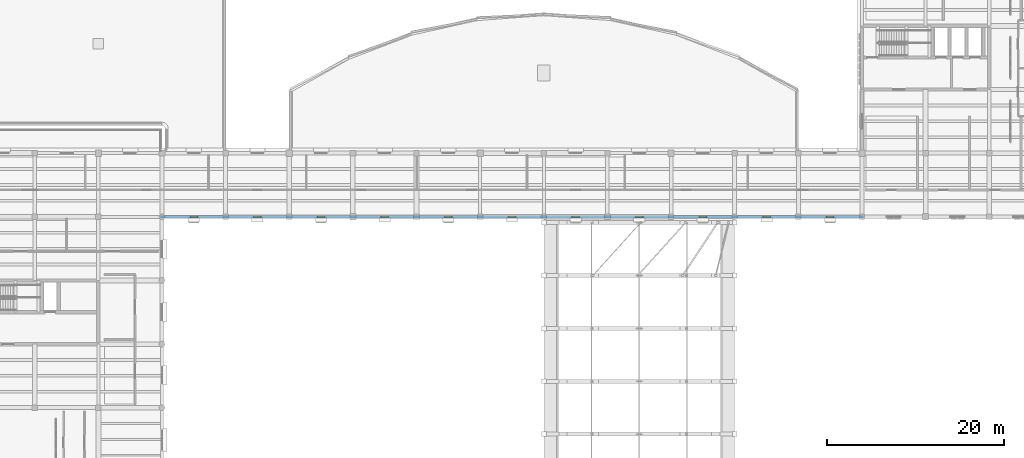
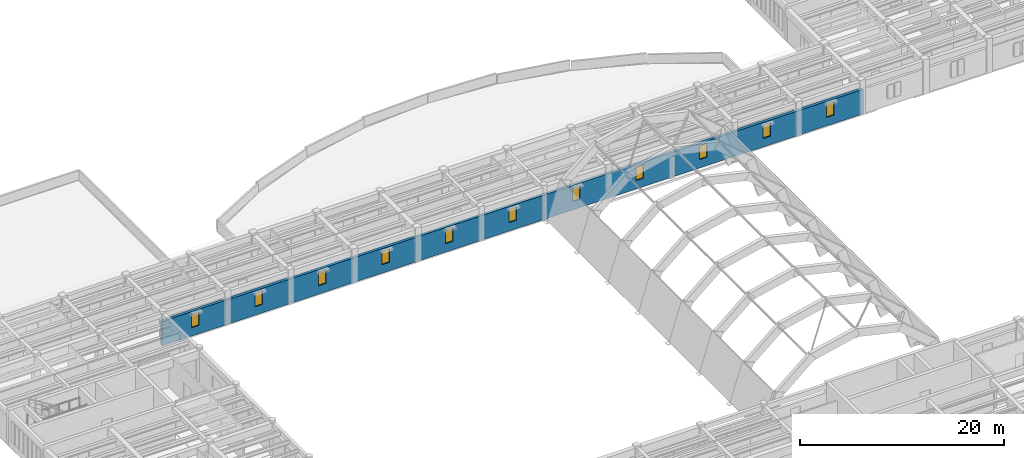
# One storey, part 46 of 66: 11 windows, 1 wall, 11 openings.
"""IFC4 building model written with IfcOpenShell, lengths in metres."""

from ifc_helpers import new_model, si_unit, direction, frame, frame_2d, origin, place, context, subcontext, project, spatial, rectangle, extrude, material, layer, layer_set, type_object, element, fill, save


model = new_model("IFC4")

# Units and contexts
model_context = context("Model", 3, precision=1e-05, world=origin(), true_north=direction((0.0, 1.0)))
body_context = subcontext(model_context, "Body", "Model", "MODEL_VIEW")
ifc_project = project(units=[si_unit("LENGTHUNIT", "METRE"), si_unit("AREAUNIT", "SQUARE_METRE"), si_unit("VOLUMEUNIT", "CUBIC_METRE"), si_unit("PLANEANGLEUNIT", "RADIAN"), si_unit("MASSUNIT", "GRAM", prefix="KILO")], contexts=[model_context])

# Site, building, storey
site_placement = place(None, origin())
site = spatial("IfcSite", under=ifc_project, at=site_placement, CompositionType="ELEMENT")
building_placement = place(site_placement, origin())
building = spatial("IfcBuilding", under=site, at=building_placement, Name="Mithqara Police Headquarters", CompositionType="ELEMENT")
storey_placement = place(building_placement, frame((0.0, 0.0, 9.60009765625)))
storey = spatial("IfcBuildingStorey", under=building, at=storey_placement, Name="L02", CompositionType="ELEMENT", Elevation=9.60009765625)

# Wall, openings, windows
ifc_material_1 = material(Name="Limestone ashlar masonry, 45 MPa", Category="masonry")
ifc_layer = layer(ifc_material_1, 0.320068359375, Name="Limestone ashlar masonry, 45 MPa")
ifc_layer_set = layer_set([ifc_layer], Name="Limestone ashlar masonry, 45 MPa")
wall_type = type_object("IfcWallType", Name="EXT WALL LIMESTONE320", PredefinedType="SOLIDWALL", material=ifc_layer_set)
wall_placement = place(storey_placement, frame((29.239990234375, 78.60009765625, 0.0), z_axis=(0.0, 0.0, 1.0), x_axis=(1.0, 0.0, 0.0)))
wall = element("IfcWall", 1, at=wall_placement, inside=storey, type_object=wall_type, Name="L02 Exterior Wall 3.1", PredefinedType="SOLIDWALL", context=body_context, shape_type="SweptSolid", body=[
    extrude(rectangle(XDim=79.52001953125, YDim=0.320068359375, at=frame_2d((39.760009765625, 0.0))), origin(), (0.0, 0.0, 1.0), 2.93994140625),
])
opening_1_placement = place(wall_placement, frame((3.3349609375, 0.0, 1.0)))
opening_1 = element("IfcOpeningElement", 2, at=opening_1_placement, cuts=wall, Name="Opening W-02", PredefinedType="OPENING", context=body_context, shape_type="SweptSolid", body=[
    extrude(rectangle(XDim=0.85009765625, YDim=1.64990234375, at=frame_2d((0.425048828125, 0.824951171875))), frame((0.0, 0.169921875, 0.0), z_axis=(0.0, -1.0, 0.0), x_axis=(1.0, 0.0, 0.0)), (0.0, 0.0, 1.0), 0.340087890625),
])
opening_2_placement = place(wall_placement, frame((10.534912109375, 0.0, 1.0)))
opening_2 = element("IfcOpeningElement", 3, at=opening_2_placement, cuts=wall, Name="Opening W-02", PredefinedType="OPENING", context=body_context, shape_type="SweptSolid", body=[
    extrude(rectangle(XDim=0.85009765625, YDim=1.64990234375, at=frame_2d((0.425048828125, 0.824951171875))), frame((0.0, 0.169921875, 0.0), z_axis=(0.0, -1.0, 0.0), x_axis=(1.0, 0.0, 0.0)), (0.0, 0.0, 1.0), 0.340087890625),
])
opening_3_placement = place(wall_placement, frame((17.735107421875, 0.0, 1.0)))
opening_3 = element("IfcOpeningElement", 4, at=opening_3_placement, cuts=wall, Name="Opening W-02", PredefinedType="OPENING", context=body_context, shape_type="SweptSolid", body=[
    extrude(rectangle(XDim=0.85009765625, YDim=1.64990234375, at=frame_2d((0.425048828125, 0.824951171875))), frame((0.0, 0.169921875, 0.0), z_axis=(0.0, -1.0, 0.0), x_axis=(1.0, 0.0, 0.0)), (0.0, 0.0, 1.0), 0.340087890625),
])
opening_4_placement = place(wall_placement, frame((24.93505859375, 0.0, 1.0)))
opening_4 = element("IfcOpeningElement", 5, at=opening_4_placement, cuts=wall, Name="Opening W-02", PredefinedType="OPENING", context=body_context, shape_type="SweptSolid", body=[
    extrude(rectangle(XDim=0.85009765625, YDim=1.64990234375, at=frame_2d((0.425048828125, 0.824951171875))), frame((0.0, 0.169921875, 0.0), z_axis=(0.0, -1.0, 0.0), x_axis=(1.0, 0.0, 0.0)), (0.0, 0.0, 1.0), 0.340087890625),
])
opening_5_placement = place(wall_placement, frame((32.135009765625, 0.0, 1.0)))
opening_5 = element("IfcOpeningElement", 6, at=opening_5_placement, cuts=wall, Name="Opening W-02", PredefinedType="OPENING", context=body_context, shape_type="SweptSolid", body=[
    extrude(rectangle(XDim=0.85009765625, YDim=1.64990234375, at=frame_2d((0.425048828125, 0.824951171875))), frame((0.0, 0.169921875, 0.0), z_axis=(0.0, -1.0, 0.0), x_axis=(1.0, 0.0, 0.0)), (0.0, 0.0, 1.0), 0.340087890625),
])
opening_6_placement = place(wall_placement, frame((39.3349609375, 0.0, 1.0)))
opening_6 = element("IfcOpeningElement", 7, at=opening_6_placement, cuts=wall, Name="Opening W-02", PredefinedType="OPENING", context=body_context, shape_type="SweptSolid", body=[
    extrude(rectangle(XDim=0.85009765625, YDim=1.64990234375, at=frame_2d((0.425048828125, 0.824951171875))), frame((0.0, 0.169921875, 0.0), z_axis=(0.0, -1.0, 0.0), x_axis=(1.0, 0.0, 0.0)), (0.0, 0.0, 1.0), 0.340087890625),
])
opening_7_placement = place(wall_placement, frame((46.534912109375, 0.0, 1.0)))
opening_7 = element("IfcOpeningElement", 8, at=opening_7_placement, cuts=wall, Name="Opening W-02", PredefinedType="OPENING", context=body_context, shape_type="SweptSolid", body=[
    extrude(rectangle(XDim=0.85009765625, YDim=1.64990234375, at=frame_2d((0.425048828125, 0.824951171875))), frame((0.0, 0.169921875, 0.0), z_axis=(0.0, -1.0, 0.0), x_axis=(1.0, 0.0, 0.0)), (0.0, 0.0, 1.0), 0.340087890625),
])
opening_8_placement = place(wall_placement, frame((53.735107421875, 0.0, 1.0)))
opening_8 = element("IfcOpeningElement", 9, at=opening_8_placement, cuts=wall, Name="Opening W-02", PredefinedType="OPENING", context=body_context, shape_type="SweptSolid", body=[
    extrude(rectangle(XDim=0.85009765625, YDim=1.64990234375, at=frame_2d((0.425048828125, 0.824951171875))), frame((0.0, 0.169921875, 0.0), z_axis=(0.0, -1.0, 0.0), x_axis=(1.0, 0.0, 0.0)), (0.0, 0.0, 1.0), 0.340087890625),
])
opening_9_placement = place(wall_placement, frame((60.93505859375, 0.0, 1.0)))
opening_9 = element("IfcOpeningElement", 10, at=opening_9_placement, cuts=wall, Name="Opening W-02", PredefinedType="OPENING", context=body_context, shape_type="SweptSolid", body=[
    extrude(rectangle(XDim=0.85009765625, YDim=1.64990234375, at=frame_2d((0.425048828125, 0.824951171875))), frame((0.0, 0.169921875, 0.0), z_axis=(0.0, -1.0, 0.0), x_axis=(1.0, 0.0, 0.0)), (0.0, 0.0, 1.0), 0.340087890625),
])
opening_10_placement = place(wall_placement, frame((68.135009765625, 0.0, 1.0)))
opening_10 = element("IfcOpeningElement", 11, at=opening_10_placement, cuts=wall, Name="Opening W-02", PredefinedType="OPENING", context=body_context, shape_type="SweptSolid", body=[
    extrude(rectangle(XDim=0.85009765625, YDim=1.64990234375, at=frame_2d((0.425048828125, 0.824951171875))), frame((0.0, 0.169921875, 0.0), z_axis=(0.0, -1.0, 0.0), x_axis=(1.0, 0.0, 0.0)), (0.0, 0.0, 1.0), 0.340087890625),
])
opening_11_placement = place(wall_placement, frame((75.3349609375, 0.0, 1.0)))
opening_11 = element("IfcOpeningElement", 12, at=opening_11_placement, cuts=wall, Name="Opening W-02", PredefinedType="OPENING", context=body_context, shape_type="SweptSolid", body=[
    extrude(rectangle(XDim=0.85009765625, YDim=1.64990234375, at=frame_2d((0.425048828125, 0.824951171875))), frame((0.0, 0.169921875, 0.0), z_axis=(0.0, -1.0, 0.0), x_axis=(1.0, 0.0, 0.0)), (0.0, 0.0, 1.0), 0.340087890625),
])
ifc_material_2 = material(Name="Spectrally selective double low-e glass", Category="glass")
window_type = type_object("IfcWindowType", Name="WINDOW 850X1650", PartitioningType="SINGLE_PANEL", PredefinedType="WINDOW", material=ifc_material_2)
window_1_placement = place(opening_1_placement, origin())
window_1 = element("IfcWindow", 13, at=window_1_placement, inside=storey, type_object=window_type, Name="L02 Deep-Set Punched Window 3.1", OverallHeight=1.64990234375, OverallWidth=0.85009765625, PartitioningType="SINGLE_PANEL", PredefinedType="WINDOW", context=body_context, shape_type="SweptSolid", body=[
    extrude(rectangle(XDim=0.85009765625, YDim=1.64990234375, at=frame_2d((0.425048828125, 0.824951171875))), frame((0.0, 0.030029296875, 0.0), z_axis=(0.0, -1.0, 0.0), x_axis=(1.0, 0.0, 0.0)), (0.0, 0.0, 1.0), 0.06005859375),
])
fill(opening_1, window_1)
window_2_placement = place(opening_2_placement, origin())
window_2 = element("IfcWindow", 14, at=window_2_placement, inside=storey, type_object=window_type, Name="L02 Deep-Set Punched Window 3.2", OverallHeight=1.64990234375, OverallWidth=0.85009765625, PartitioningType="SINGLE_PANEL", PredefinedType="WINDOW", context=body_context, shape_type="SweptSolid", body=[
    extrude(rectangle(XDim=0.85009765625, YDim=1.64990234375, at=frame_2d((0.425048828125, 0.824951171875))), frame((0.0, 0.030029296875, 0.0), z_axis=(0.0, -1.0, 0.0), x_axis=(1.0, 0.0, 0.0)), (0.0, 0.0, 1.0), 0.06005859375),
])
fill(opening_2, window_2)
window_3_placement = place(opening_3_placement, origin())
window_3 = element("IfcWindow", 15, at=window_3_placement, inside=storey, type_object=window_type, Name="L02 Deep-Set Punched Window 3.3", OverallHeight=1.64990234375, OverallWidth=0.85009765625, PartitioningType="SINGLE_PANEL", PredefinedType="WINDOW", context=body_context, shape_type="SweptSolid", body=[
    extrude(rectangle(XDim=0.85009765625, YDim=1.64990234375, at=frame_2d((0.425048828125, 0.824951171875))), frame((0.0, 0.030029296875, 0.0), z_axis=(0.0, -1.0, 0.0), x_axis=(1.0, 0.0, 0.0)), (0.0, 0.0, 1.0), 0.06005859375),
])
fill(opening_3, window_3)
window_4_placement = place(opening_4_placement, origin())
window_4 = element("IfcWindow", 16, at=window_4_placement, inside=storey, type_object=window_type, Name="L02 Deep-Set Punched Window 3.4", OverallHeight=1.64990234375, OverallWidth=0.85009765625, PartitioningType="SINGLE_PANEL", PredefinedType="WINDOW", context=body_context, shape_type="SweptSolid", body=[
    extrude(rectangle(XDim=0.85009765625, YDim=1.64990234375, at=frame_2d((0.425048828125, 0.824951171875))), frame((0.0, 0.030029296875, 0.0), z_axis=(0.0, -1.0, 0.0), x_axis=(1.0, 0.0, 0.0)), (0.0, 0.0, 1.0), 0.06005859375),
])
fill(opening_4, window_4)
window_5_placement = place(opening_5_placement, origin())
window_5 = element("IfcWindow", 17, at=window_5_placement, inside=storey, type_object=window_type, Name="L02 Deep-Set Punched Window 3.5", OverallHeight=1.64990234375, OverallWidth=0.85009765625, PartitioningType="SINGLE_PANEL", PredefinedType="WINDOW", context=body_context, shape_type="SweptSolid", body=[
    extrude(rectangle(XDim=0.85009765625, YDim=1.64990234375, at=frame_2d((0.425048828125, 0.824951171875))), frame((0.0, 0.030029296875, 0.0), z_axis=(0.0, -1.0, 0.0), x_axis=(1.0, 0.0, 0.0)), (0.0, 0.0, 1.0), 0.06005859375),
])
fill(opening_5, window_5)
window_6_placement = place(opening_6_placement, origin())
window_6 = element("IfcWindow", 18, at=window_6_placement, inside=storey, type_object=window_type, Name="L02 Deep-Set Punched Window 3.6", OverallHeight=1.64990234375, OverallWidth=0.85009765625, PartitioningType="SINGLE_PANEL", PredefinedType="WINDOW", context=body_context, shape_type="SweptSolid", body=[
    extrude(rectangle(XDim=0.85009765625, YDim=1.64990234375, at=frame_2d((0.425048828125, 0.824951171875))), frame((0.0, 0.030029296875, 0.0), z_axis=(0.0, -1.0, 0.0), x_axis=(1.0, 0.0, 0.0)), (0.0, 0.0, 1.0), 0.06005859375),
])
fill(opening_6, window_6)
window_7_placement = place(opening_7_placement, origin())
window_7 = element("IfcWindow", 19, at=window_7_placement, inside=storey, type_object=window_type, Name="L02 Deep-Set Punched Window 3.7", OverallHeight=1.64990234375, OverallWidth=0.85009765625, PartitioningType="SINGLE_PANEL", PredefinedType="WINDOW", context=body_context, shape_type="SweptSolid", body=[
    extrude(rectangle(XDim=0.85009765625, YDim=1.64990234375, at=frame_2d((0.425048828125, 0.824951171875))), frame((0.0, 0.030029296875, 0.0), z_axis=(0.0, -1.0, 0.0), x_axis=(1.0, 0.0, 0.0)), (0.0, 0.0, 1.0), 0.06005859375),
])
fill(opening_7, window_7)
window_8_placement = place(opening_8_placement, origin())
window_8 = element("IfcWindow", 20, at=window_8_placement, inside=storey, type_object=window_type, Name="L02 Deep-Set Punched Window 3.8", OverallHeight=1.64990234375, OverallWidth=0.85009765625, PartitioningType="SINGLE_PANEL", PredefinedType="WINDOW", context=body_context, shape_type="SweptSolid", body=[
    extrude(rectangle(XDim=0.85009765625, YDim=1.64990234375, at=frame_2d((0.425048828125, 0.824951171875))), frame((0.0, 0.030029296875, 0.0), z_axis=(0.0, -1.0, 0.0), x_axis=(1.0, 0.0, 0.0)), (0.0, 0.0, 1.0), 0.06005859375),
])
fill(opening_8, window_8)
window_9_placement = place(opening_9_placement, origin())
window_9 = element("IfcWindow", 21, at=window_9_placement, inside=storey, type_object=window_type, Name="L02 Deep-Set Punched Window 3.9", OverallHeight=1.64990234375, OverallWidth=0.85009765625, PartitioningType="SINGLE_PANEL", PredefinedType="WINDOW", context=body_context, shape_type="SweptSolid", body=[
    extrude(rectangle(XDim=0.85009765625, YDim=1.64990234375, at=frame_2d((0.425048828125, 0.824951171875))), frame((0.0, 0.030029296875, 0.0), z_axis=(0.0, -1.0, 0.0), x_axis=(1.0, 0.0, 0.0)), (0.0, 0.0, 1.0), 0.06005859375),
])
fill(opening_9, window_9)
window_10_placement = place(opening_10_placement, origin())
window_10 = element("IfcWindow", 22, at=window_10_placement, inside=storey, type_object=window_type, Name="L02 Deep-Set Punched Window 3.10", OverallHeight=1.64990234375, OverallWidth=0.85009765625, PartitioningType="SINGLE_PANEL", PredefinedType="WINDOW", context=body_context, shape_type="SweptSolid", body=[
    extrude(rectangle(XDim=0.85009765625, YDim=1.64990234375, at=frame_2d((0.425048828125, 0.824951171875))), frame((0.0, 0.030029296875, 0.0), z_axis=(0.0, -1.0, 0.0), x_axis=(1.0, 0.0, 0.0)), (0.0, 0.0, 1.0), 0.06005859375),
])
fill(opening_10, window_10)
window_11_placement = place(opening_11_placement, origin())
window_11 = element("IfcWindow", 23, at=window_11_placement, inside=storey, type_object=window_type, Name="L02 Deep-Set Punched Window 3.11", OverallHeight=1.64990234375, OverallWidth=0.85009765625, PartitioningType="SINGLE_PANEL", PredefinedType="WINDOW", context=body_context, shape_type="SweptSolid", body=[
    extrude(rectangle(XDim=0.85009765625, YDim=1.64990234375, at=frame_2d((0.425048828125, 0.824951171875))), frame((0.0, 0.030029296875, 0.0), z_axis=(0.0, -1.0, 0.0), x_axis=(1.0, 0.0, 0.0)), (0.0, 0.0, 1.0), 0.06005859375),
])
fill(opening_11, window_11)

save(model, "model.ifc")
